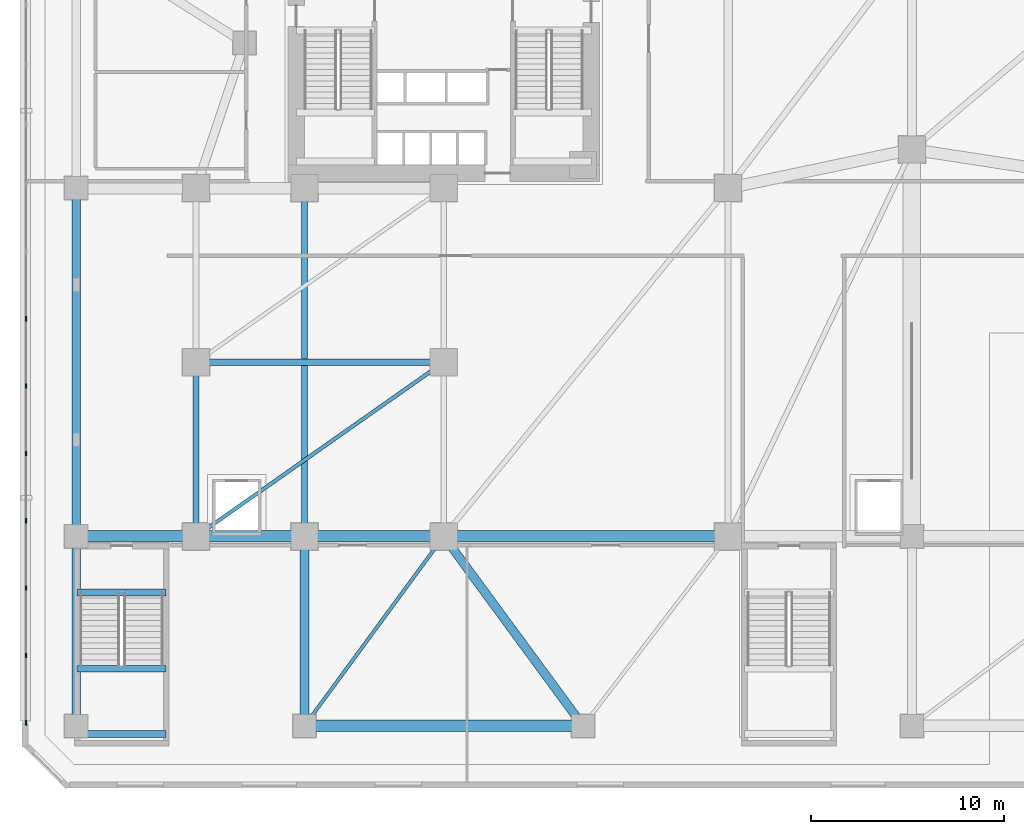
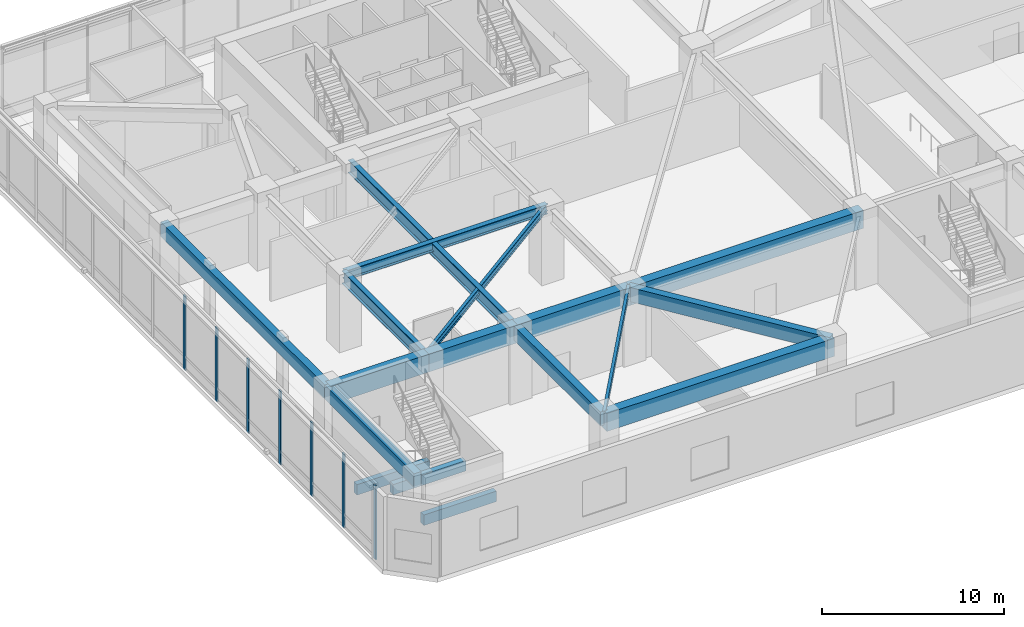
# One storey, part 2 of 18: 17 beams, 7 members, 1 element without a shape of its own.
"""IFC4 building model written with IfcOpenShell, lengths in metres."""

from ifc_helpers import new_model, si_unit, direction, frame, origin, origin_2d, place, context, subcontext, project, spatial, rectangle, i_section, extrude, source, transform, mapped, material, material_profile, profile_set, type_object, element, aggregate, save


model = new_model("IFC4")

# Units and contexts
model_context = context("Model", 3, precision=1e-05, world=origin(), true_north=direction((0.0, 1.0)))
body_context = subcontext(model_context, "Body", "Model", "MODEL_VIEW")
ifc_project = project(units=[si_unit("LENGTHUNIT", "METRE"), si_unit("AREAUNIT", "SQUARE_METRE"), si_unit("VOLUMEUNIT", "CUBIC_METRE"), si_unit("PLANEANGLEUNIT", "RADIAN"), si_unit("MASSUNIT", "GRAM", prefix="KILO")], contexts=[model_context])

# Site, building, storey
site_placement = place(None, origin())
site = spatial("IfcSite", under=ifc_project, at=site_placement, CompositionType="ELEMENT")
building_placement = place(site_placement, origin())
building = spatial("IfcBuilding", under=site, at=building_placement, Name="Calvemar Wedge Station Tower", CompositionType="ELEMENT")
storey_placement = place(building_placement, frame((0.0, 0.0, 11.199951171875)))
storey = spatial("IfcBuildingStorey", under=building, at=storey_placement, Name="L03", CompositionType="ELEMENT", Elevation=11.199951171875)

# Beams
ifc_material_1 = material(Name="Concrete C70", Category="concrete")
ifc_material_profile_1 = material_profile(ifc_material_1, rectangle(XDim=0.35009765625, YDim=0.699951171875, at=origin_2d()), Name="RC350x700")
ifc_profile_set_1 = profile_set([ifc_material_profile_1], Name="Concrete C70")
beam_type_1 = type_object("IfcBeamType", Name="BM-LN1-700", PredefinedType="LINTEL", material=ifc_profile_set_1)
shared_shape_1 = source(origin(), body_context, "Body", "SweptSolid", [
    extrude(rectangle(XDim=0.35009765625, YDim=0.699951171875, at=origin_2d()), origin(), (0.0, 0.0, 1.0), 4.599853515625),
])
for number, where, z_axis, x_axis, name in (
    (1, (4.85009765625, 12.10009765625, -0.349853515625), (1.0, 0.0, 0.0), (0.0, 1.0, 0.0), "Storey L03 Stair ST-P1 Landing Trimmer Beam"),
    (2, (4.85009765625, 4.780029296875, 2.050048828125), (1.0, 0.0, 0.0), (0.0, 1.0, 0.0), "Storey L03 Stair ST-P1 Half-Landing Beam 1A"),
    (3, (4.85009765625, 8.14990234375, 2.050048828125), (1.0, 0.0, 0.0), (0.0, 1.0, 0.0), "Storey L03 Stair ST-P1 Half-Landing Beam 1B"),
):
    element("IfcBeam", number, at=place(storey_placement, frame(where, z_axis=z_axis, x_axis=x_axis)), inside=storey, type_object=beam_type_1, Name=name, PredefinedType="LINTEL", context=body_context, shape_type="MappedRepresentation", body=[
        mapped(shared_shape_1, transform((0.0, 0.0, 0.0), scale=1.0)),
    ])
ifc_material_2 = material(Name="Concrete C60", Category="concrete")
ifc_material_profile_2 = material_profile(ifc_material_2, rectangle(XDim=0.60009765625, YDim=1.199951171875, at=origin_2d()), Name="RC600x1200")
ifc_profile_set_2 = profile_set([ifc_material_profile_2], Name="Concrete C60")
beam_type_2 = type_object("IfcBeamType", Name="BM-G1-1200", PredefinedType="BEAM", material=ifc_profile_set_2)
shared_shape_2 = source(origin(), body_context, "Body", "SweptSolid", [
    extrude(rectangle(XDim=0.60009765625, YDim=1.199951171875, at=origin_2d()), origin(), (0.0, 0.0, 1.0), 14.39990234375),
])
beam_1_placement = place(storey_placement, frame((16.60009765625, 5.199951171875, 4.300048828125), z_axis=(1.0, 0.0, 0.0), x_axis=(0.0, 1.0, 0.0)))
element("IfcBeam", 4, at=beam_1_placement, inside=storey, type_object=beam_type_2, Name="Storey L03 Primary Girder G02", PredefinedType="BEAM", context=body_context, shape_type="MappedRepresentation", body=[
    mapped(shared_shape_2, transform((0.0, 0.0, 0.0), scale=1.0)),
])
shared_shape_3 = source(origin(), body_context, "Body", "SweptSolid", [
    extrude(rectangle(XDim=0.60009765625, YDim=1.199951171875, at=origin_2d()), origin(), (0.0, 0.0, 1.0), 6.199951171875),
])
beam_2_placement = place(storey_placement, frame((4.800048828125, 15.0, 4.300048828125), z_axis=(1.0, 0.0, 0.0), x_axis=(0.0, 1.0, 0.0)))
element("IfcBeam", 5, at=beam_2_placement, inside=storey, type_object=beam_type_2, Name="Storey L03 Primary Girder G05", PredefinedType="BEAM", context=body_context, shape_type="MappedRepresentation", body=[
    mapped(shared_shape_3, transform((0.0, 0.0, 0.0), scale=1.0)),
])
shared_shape_4 = source(origin(), body_context, "Body", "SweptSolid", [
    extrude(rectangle(XDim=0.60009765625, YDim=1.199951171875, at=origin_2d()), origin(), (0.0, 0.0, 1.0), 5.60009765625),
])
beam_3_placement = place(storey_placement, frame((11.0, 15.0, 4.300048828125), z_axis=(1.0, 0.0, 0.0), x_axis=(0.0, 1.0, 0.0)))
element("IfcBeam", 6, at=beam_3_placement, inside=storey, type_object=beam_type_2, Name="Storey L03 Primary Girder G06", PredefinedType="BEAM", context=body_context, shape_type="MappedRepresentation", body=[
    mapped(shared_shape_4, transform((0.0, 0.0, 0.0), scale=1.0)),
])
shared_shape_5 = source(origin(), body_context, "Body", "SweptSolid", [
    extrude(rectangle(XDim=0.60009765625, YDim=1.199951171875, at=origin_2d()), origin(), (0.0, 0.0, 1.0), 7.199951171875),
])
beam_4_placement = place(storey_placement, frame((16.60009765625, 15.0, 4.300048828125), z_axis=(1.0, 0.0, 0.0), x_axis=(0.0, 1.0, 0.0)))
element("IfcBeam", 7, at=beam_4_placement, inside=storey, type_object=beam_type_2, Name="Storey L03 Primary Girder G07", PredefinedType="BEAM", context=body_context, shape_type="MappedRepresentation", body=[
    mapped(shared_shape_5, transform((0.0, 0.0, 0.0), scale=1.0)),
])
shared_shape_6 = source(origin(), body_context, "Body", "SweptSolid", [
    extrude(rectangle(XDim=0.60009765625, YDim=1.199951171875, at=origin_2d()), origin(), (0.0, 0.0, 1.0), 14.699951171875),
])
beam_5_placement = place(storey_placement, frame((23.800048828125, 15.0, 4.300048828125), z_axis=(1.0, 0.0, 0.0), x_axis=(0.0, 1.0, 0.0)))
element("IfcBeam", 8, at=beam_5_placement, inside=storey, type_object=beam_type_2, Name="Storey L03 Primary Girder G08", PredefinedType="BEAM", context=body_context, shape_type="MappedRepresentation", body=[
    mapped(shared_shape_6, transform((0.0, 0.0, 0.0), scale=1.0)),
])
ifc_material_3 = material(Name="Concrete C50", Category="concrete")
ifc_material_profile_3 = material_profile(ifc_material_3, rectangle(XDim=0.449951171875, YDim=0.949951171875, at=origin_2d()), Name="RC450x950")
ifc_profile_set_3 = profile_set([ifc_material_profile_3], Name="Concrete C50")
beam_type_3 = type_object("IfcBeamType", Name="BM-G2-950", PredefinedType="BEAM", material=ifc_profile_set_3)
shared_shape_7 = source(origin(), body_context, "Body", "SweptSolid", [
    extrude(rectangle(XDim=0.449951171875, YDim=0.949951171875, at=origin_2d()), origin(), (0.0, 0.0, 1.0), 18.0),
])
beam_6_placement = place(storey_placement, frame((4.800048828125, 15.0, 4.425048828125), z_axis=(0.0, 1.0, 0.0), x_axis=(-1.0, 0.0, 0.0)))
element("IfcBeam", 9, at=beam_6_placement, inside=storey, type_object=beam_type_3, Name="Storey L03 Primary Girder G18", PredefinedType="BEAM", context=body_context, shape_type="MappedRepresentation", body=[
    mapped(shared_shape_7, transform((0.0, 0.0, 0.0), scale=1.0)),
])
ifc_material_4 = material(Name="Structural steel ASTM A572 Grade 50", Category="steel")
ifc_material_profile_4 = material_profile(ifc_material_4, i_section(OverallWidth=0.303955078125, OverallDepth=0.862060546875, WebThickness=0.019775390625, FlangeThickness=0.035888671875, FilletRadius=0.02001953125, at=origin_2d()), Name="W840x329")
ifc_profile_set_4 = profile_set([ifc_material_profile_4], Name="Structural steel ASTM A572 Grade 50")
beam_type_4 = type_object("IfcBeamType", Name="BM-TR2-W840", PredefinedType="BEAM", material=ifc_profile_set_4)
shared_shape_8 = source(origin(), body_context, "Body", "SweptSolid", [
    extrude(i_section(OverallWidth=0.303955078125, OverallDepth=0.862060546875, WebThickness=0.019775390625, FlangeThickness=0.035888671875, FilletRadius=0.02001953125, at=origin_2d()), origin(), (0.0, 0.0, 1.0), 9.0),
])
beam_7_placement = place(storey_placement, frame((11.0, 15.0, 4.468994140625), z_axis=(0.0, 1.0, 0.0), x_axis=(-1.0, 0.0, 0.0)))
element("IfcBeam", 10, at=beam_7_placement, inside=storey, type_object=beam_type_4, Name="Storey L03 Primary Girder G19", PredefinedType="BEAM", context=body_context, shape_type="MappedRepresentation", body=[
    mapped(shared_shape_8, transform((0.0, 0.0, 0.0), scale=1.0)),
])
shared_shape_9 = source(origin(), body_context, "Body", "SweptSolid", [
    extrude(i_section(OverallWidth=0.303955078125, OverallDepth=0.862060546875, WebThickness=0.019775390625, FlangeThickness=0.035888671875, FilletRadius=0.02001953125, at=origin_2d()), origin(), (0.0, 0.0, 1.0), 18.0),
])
beam_8_placement = place(storey_placement, frame((16.60009765625, 15.0, 4.468994140625), z_axis=(0.0, 1.0, 0.0), x_axis=(-1.0, 0.0, 0.0)))
element("IfcBeam", 11, at=beam_8_placement, inside=storey, type_object=beam_type_4, Name="Storey L03 Primary Girder G21", PredefinedType="BEAM", context=body_context, shape_type="MappedRepresentation", body=[
    mapped(shared_shape_9, transform((0.0, 0.0, 0.0), scale=1.0)),
])
ifc_material_profile_5 = material_profile(ifc_material_4, i_section(OverallWidth=0.3291015625, OverallDepth=0.635009765625, WebThickness=0.017822265625, FlangeThickness=0.031005859375, FilletRadius=0.014892578125, at=origin_2d()), Name="W610x241")
ifc_profile_set_5 = profile_set([ifc_material_profile_5], Name="Structural steel ASTM A572 Grade 50")
beam_type_5 = type_object("IfcBeamType", Name="BM-SB1-W610H", PredefinedType="BEAM", material=ifc_profile_set_5)
shared_shape_10 = source(origin(), body_context, "Body", "SweptSolid", [
    extrude(i_section(OverallWidth=0.3291015625, OverallDepth=0.635009765625, WebThickness=0.017822265625, FlangeThickness=0.031005859375, FilletRadius=0.014892578125, at=origin_2d()), origin(), (0.0, 0.0, 1.0), 12.800048828125),
])
beam_9_placement = place(storey_placement, frame((11.0, 24.0, 4.58251953125), z_axis=(1.0, 0.0, 0.0), x_axis=(0.0, 1.0, 0.0)))
element("IfcBeam", 12, at=beam_9_placement, inside=storey, type_object=beam_type_5, Name="Storey L03 Primary Girder G27", PredefinedType="BEAM", context=body_context, shape_type="MappedRepresentation", body=[
    mapped(shared_shape_10, transform((0.0, 0.0, 0.0), scale=1.0)),
])
shared_shape_11 = source(origin(), body_context, "Body", "SweptSolid", [
    extrude(rectangle(XDim=0.449951171875, YDim=0.949951171875, at=origin_2d()), origin(), (0.0, 0.0, 1.0), 9.800048828125),
])
for number, where, z_axis, x_axis, name in (
    (13, (4.800048828125, 5.199951171875, 4.425048828125), (0.0, 1.0, 0.0), (-1.0, 0.0, 0.0), "Storey L03 Primary Girder G28"),
    (14, (16.60009765625, 5.199951171875, 4.425048828125), (0.0, 1.0, 0.0), (-1.0, 0.0, 0.0), "Storey L03 Primary Girder G29"),
):
    element("IfcBeam", number, at=place(storey_placement, frame(where, z_axis=z_axis, x_axis=x_axis)), inside=storey, type_object=beam_type_3, Name=name, PredefinedType="BEAM", context=body_context, shape_type="MappedRepresentation", body=[
        mapped(shared_shape_11, transform((0.0, 0.0, 0.0), scale=1.0)),
    ])
shared_shape_12 = source(origin(), body_context, "Body", "SweptSolid", [
    extrude(rectangle(XDim=0.449951171875, YDim=0.949951171875, at=origin_2d()), origin(), (0.0, 0.0, 1.0), 12.16064453125),
])
beam_10_placement = place(storey_placement, frame((31.0, 5.199951171875, 4.425048828125), z_axis=(-0.59207191039, 0.805885136311, 0.0), x_axis=(-0.805885136311, -0.59207191039, 0.0)))
element("IfcBeam", 15, at=beam_10_placement, inside=storey, type_object=beam_type_3, Name="Storey L03 Primary Girder G30", PredefinedType="BEAM", context=body_context, shape_type="MappedRepresentation", body=[
    mapped(shared_shape_12, transform((0.0, 0.0, 0.0), scale=1.0)),
])
ifc_material_profile_6 = material_profile(ifc_material_4, i_section(OverallWidth=0.19189453125, OverallDepth=0.462890625, WebThickness=0.010498046875, FlangeThickness=0.017578125, FilletRadius=0.012939453125, at=origin_2d()), Name="W460x89")
ifc_profile_set_6 = profile_set([ifc_material_profile_6], Name="Structural steel ASTM A572 Grade 50")
beam_type_6 = type_object("IfcBeamType", Name="BM-J1-W460", PredefinedType="JOIST", material=ifc_profile_set_6)
shared_shape_13 = source(origin(), body_context, "Body", "SweptSolid", [
    extrude(i_section(OverallWidth=0.19189453125, OverallDepth=0.462890625, WebThickness=0.010498046875, FlangeThickness=0.017578125, FilletRadius=0.012939453125, at=origin_2d()), origin(), (0.0, 0.0, 1.0), 15.6474609375),
])
beam_11_placement = place(storey_placement, frame((11.0, 15.0, 4.66845703125), z_axis=(0.818030190743, 0.575175283747, 0.0), x_axis=(-0.575175283747, 0.818030190743, 0.0)))
element("IfcBeam", 16, at=beam_11_placement, inside=storey, type_object=beam_type_6, Name="Storey L03 Concourse Cross Joist 1", PredefinedType="JOIST", context=body_context, shape_type="MappedRepresentation", body=[
    mapped(shared_shape_13, transform((0.0, 0.0, 0.0), scale=1.0)),
])
ifc_material_profile_7 = material_profile(ifc_material_4, i_section(OverallWidth=0.177978515625, OverallDepth=0.406982421875, WebThickness=0.0078125, FlangeThickness=0.0126953125, FilletRadius=0.010009765625, at=origin_2d()), Name="W410x60")
ifc_profile_set_7 = profile_set([ifc_material_profile_7], Name="Structural steel ASTM A572 Grade 50")
beam_type_7 = type_object("IfcBeamType", Name="BM-J3-W410", PredefinedType="JOIST", material=ifc_profile_set_7)
shared_shape_14 = source(origin(), body_context, "Body", "SweptSolid", [
    extrude(i_section(OverallWidth=0.177978515625, OverallDepth=0.406982421875, WebThickness=0.0078125, FlangeThickness=0.0126953125, FilletRadius=0.010009765625, at=origin_2d()), origin(), (0.0, 0.0, 1.0), 12.16064453125),
])
beam_12_placement = place(storey_placement, frame((16.60009765625, 5.199951171875, 4.696533203125), z_axis=(0.59207191039, 0.805885136311, 0.0), x_axis=(-0.805885136311, 0.59207191039, 0.0)))
element("IfcBeam", 17, at=beam_12_placement, inside=storey, type_object=beam_type_7, Name="Storey L03 Concourse Cross Joist 6", PredefinedType="JOIST", context=body_context, shape_type="MappedRepresentation", body=[
    mapped(shared_shape_14, transform((0.0, 0.0, 0.0), scale=1.0)),
])

# Curtain wall, members
ifc_material_5 = material(Name="Anodised aluminium 6063-T6", Category="aluminium")
curtain_wall_type = type_object("IfcCurtainWallType", Name="CW5", PredefinedType="NOTDEFINED", material=ifc_material_5)
curtain_wall_placement = place(storey_placement, origin())
curtain_wall = element("IfcCurtainWall", 18, at=curtain_wall_placement, inside=storey, type_object=curtain_wall_type, Name="Storey L03 CW5 Recessed Unitised Curtain Wall 6", PredefinedType="NOTDEFINED")
ifc_material_profile_8 = material_profile(ifc_material_5, rectangle(XDim=0.0849609375, YDim=0.239990234375, at=origin_2d()), Name="AL-MUL-85x240")
ifc_profile_set_8 = profile_set([ifc_material_profile_8], Name="Anodised aluminium 6063-T6")
member_type = type_object("IfcMemberType", Name="CW5-MUL", PredefinedType="MULLION", material=ifc_profile_set_8)
shared_shape_15 = source(origin(), body_context, "Body", "SweptSolid", [
    extrude(rectangle(XDim=0.0849609375, YDim=0.239990234375, at=origin_2d()), origin(), (0.0, 0.0, 1.0), 4.9501953125),
])
member_1_placement = place(storey_placement, frame((2.2099609375, 26.248046875, -0.050048828125), z_axis=(0.0, 0.0, 1.0), x_axis=(1.0, 0.0, 0.0)))
member_1 = element("IfcMember", 19, at=member_1_placement, type_object=member_type, Name="CW5 mullion 8", PredefinedType="MULLION", context=body_context, shape_type="MappedRepresentation", body=[
    mapped(shared_shape_15, transform((0.0, 0.0, 0.0), scale=1.0)),
])
member_2_placement = place(storey_placement, frame((2.2099609375, 22.76708984375, -0.050048828125), z_axis=(0.0, 0.0, 1.0), x_axis=(1.0, 0.0, 0.0)))
member_2 = element("IfcMember", 20, at=member_2_placement, type_object=member_type, Name="CW5 mullion 9", PredefinedType="MULLION", context=body_context, shape_type="MappedRepresentation", body=[
    mapped(shared_shape_15, transform((0.0, 0.0, 0.0), scale=1.0)),
])
member_3_placement = place(storey_placement, frame((2.2099609375, 19.2861328125, -0.050048828125), z_axis=(0.0, 0.0, 1.0), x_axis=(1.0, 0.0, 0.0)))
member_3 = element("IfcMember", 21, at=member_3_placement, type_object=member_type, Name="CW5 mullion 10", PredefinedType="MULLION", context=body_context, shape_type="MappedRepresentation", body=[
    mapped(shared_shape_15, transform((0.0, 0.0, 0.0), scale=1.0)),
])
member_4_placement = place(storey_placement, frame((2.2099609375, 15.80517578125, -0.050048828125), z_axis=(0.0, 0.0, 1.0), x_axis=(1.0, 0.0, 0.0)))
member_4 = element("IfcMember", 22, at=member_4_placement, type_object=member_type, Name="CW5 mullion 11", PredefinedType="MULLION", context=body_context, shape_type="MappedRepresentation", body=[
    mapped(shared_shape_15, transform((0.0, 0.0, 0.0), scale=1.0)),
])
member_5_placement = place(storey_placement, frame((2.2099609375, 12.32421875, -0.050048828125), z_axis=(0.0, 0.0, 1.0), x_axis=(1.0, 0.0, 0.0)))
member_5 = element("IfcMember", 23, at=member_5_placement, type_object=member_type, Name="CW5 mullion 12", PredefinedType="MULLION", context=body_context, shape_type="MappedRepresentation", body=[
    mapped(shared_shape_15, transform((0.0, 0.0, 0.0), scale=1.0)),
])
member_6_placement = place(storey_placement, frame((2.2099609375, 8.843017578125, -0.050048828125), z_axis=(0.0, 0.0, 1.0), x_axis=(1.0, 0.0, 0.0)))
member_6 = element("IfcMember", 24, at=member_6_placement, type_object=member_type, Name="CW5 mullion 13", PredefinedType="MULLION", context=body_context, shape_type="MappedRepresentation", body=[
    mapped(shared_shape_15, transform((0.0, 0.0, 0.0), scale=1.0)),
])
member_7_placement = place(storey_placement, frame((2.2099609375, 5.362060546875, -0.050048828125), z_axis=(0.0, 0.0, 1.0), x_axis=(1.0, 0.0, 0.0)))
member_7 = element("IfcMember", 25, at=member_7_placement, type_object=member_type, Name="CW5 mullion 14", PredefinedType="MULLION", context=body_context, shape_type="MappedRepresentation", body=[
    mapped(shared_shape_15, transform((0.0, 0.0, 0.0), scale=1.0)),
])
aggregate(curtain_wall, [member_1, member_2, member_3, member_4, member_5, member_6, member_7])

save(model, "model.ifc")
